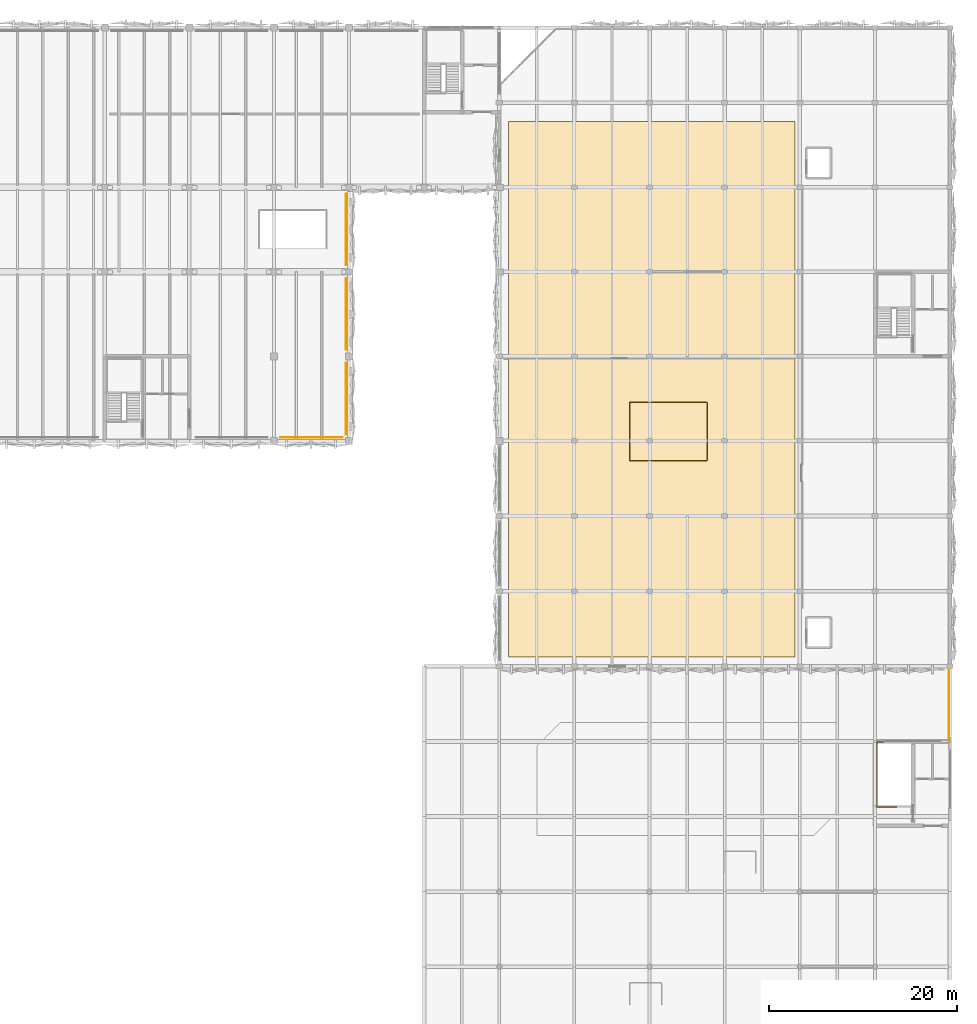
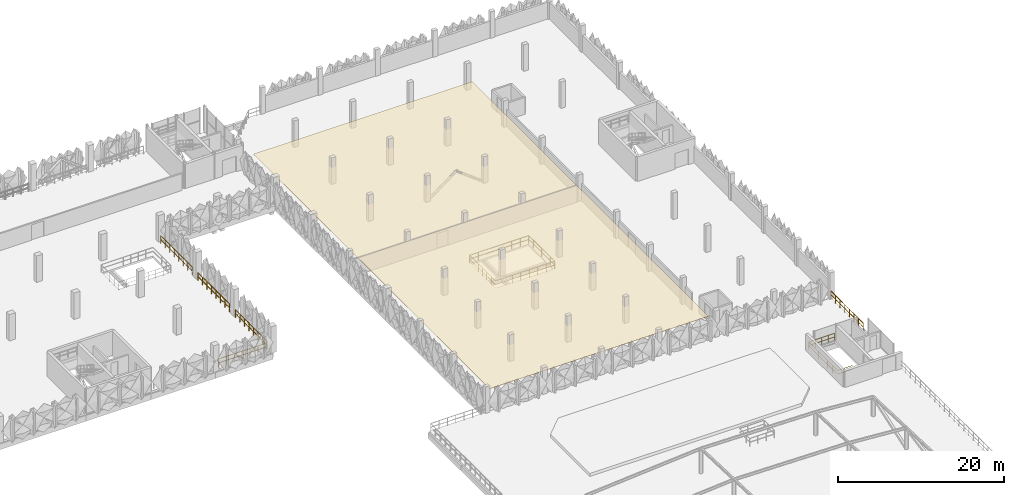
# One storey, part 73 of 76: 7 railings, 1 covering.
"""IFC4 building model written with IfcOpenShell, lengths in metres."""

from ifc_helpers import new_model, si_unit, derived_unit, direction, frame, origin, origin_2d, place, context, subcontext, project, spatial, polyline, circle, outline, extrude, material, layer, layer_set, type_object, element, save


model = new_model("IFC4")

# Units and contexts
model_context = context("Model", 3, precision=1e-05, world=origin(), true_north=direction((0.0, 1.0)))
body_context = subcontext(model_context, "Body", "Model", "MODEL_VIEW")
ifc_project = project(units=[si_unit("LENGTHUNIT", "METRE"), si_unit("AREAUNIT", "SQUARE_METRE"), si_unit("VOLUMEUNIT", "CUBIC_METRE"), si_unit("PLANEANGLEUNIT", "RADIAN"), si_unit("MASSUNIT", "GRAM", prefix="KILO"), si_unit("THERMODYNAMICTEMPERATUREUNIT", "KELVIN"), derived_unit("THERMALTRANSMITTANCEUNIT", [(si_unit("POWERUNIT", "WATT"), 1), (si_unit("AREAUNIT", "SQUARE_METRE"), -1), (si_unit("THERMODYNAMICTEMPERATUREUNIT", "KELVIN"), -1)])], contexts=[model_context])

# Site, building, storey
site_placement = place(None, origin())
site = spatial("IfcSite", under=ifc_project, at=site_placement, CompositionType="ELEMENT")
building_placement = place(site_placement, origin())
building = spatial("IfcBuilding", under=site, at=building_placement, Name="Haiyu Intermodal Mobility Hub", CompositionType="ELEMENT")
storey_placement = place(building_placement, frame((0.0, 0.0, 17.300048828125)))
storey = spatial("IfcBuildingStorey", under=building, at=storey_placement, Name="L04", CompositionType="ELEMENT", Elevation=17.300048828125)

# Covering
ifc_material_1 = material(Name="Champagne perforated aluminium 6063-T6", Category="aluminium")
ifc_layer = layer(ifc_material_1, 0.139892578125)
ifc_layer_set = layer_set([ifc_layer], Name="Champagne perforated aluminium 6063-T6")
covering_type = type_object("IfcCoveringType", Name="COV-CV01", PredefinedType="CLADDING", material=ifc_layer_set)
covering_placement = place(storey_placement, frame((0.0, 0.0, 2.39990234375)))
element("IfcCovering", 1, at=covering_placement, inside=storey, type_object=covering_type, Name="COV-CEIL-006", PredefinedType="CLADDING", context=body_context, shape_type="SweptSolid", body=[
    extrude(outline(polyline([(163.0, 81.0), (193.5, 81.0), (193.5, 138.0), (163.0, 138.0), (163.0, 81.0)])), origin(), (0.0, 0.0, 1.0), 0.045166015625),
])

# Railings
ifc_material_2 = material(Name="Steel Q355C", Category="steel")
railing_type_1 = type_object("IfcRailingType", Name="RAL-GR01", PredefinedType="GUARDRAIL", material=ifc_material_2)
railing_1_placement = place(storey_placement, frame((145.659912109375, 104.699951171875, 0.0)))
element("IfcRailing", 2, at=railing_1_placement, inside=storey, type_object=railing_type_1, Name="RAL-CAR-E-0102", PredefinedType="GUARDRAIL", context=body_context, shape_type="SweptSolid", body=[
    extrude(circle(Radius=0.02392578125, at=origin_2d()), frame((0.0, 0.030029296875, 1.17578125), z_axis=(0.0, 1.0, 0.0), x_axis=(-1.0, 0.0, 0.0)), (0.0, 0.0, 1.0), 7.5400390625),
    extrude(circle(Radius=0.02392578125, at=origin_2d()), frame((0.0, 0.037353515625, 0.60009765625), z_axis=(0.0, 1.0, 0.0), x_axis=(-1.0, 0.0, 0.0)), (0.0, 0.0, 1.0), 1.01123046875),
    extrude(circle(Radius=0.02392578125, at=origin_2d()), frame((0.0, 1.123046875, 0.60009765625), z_axis=(0.0, 1.0, 0.0), x_axis=(-1.0, 0.0, 0.0)), (0.0, 0.0, 1.0), 1.01123046875),
    extrude(circle(Radius=0.02392578125, at=origin_2d()), frame((0.0, 2.208740234375, 0.60009765625), z_axis=(0.0, 1.0, 0.0), x_axis=(-1.0, 0.0, 0.0)), (0.0, 0.0, 1.0), 1.01123046875),
    extrude(circle(Radius=0.02392578125, at=origin_2d()), frame((0.0, 3.29443359375, 0.60009765625), z_axis=(0.0, 1.0, 0.0), x_axis=(-1.0, 0.0, 0.0)), (0.0, 0.0, 1.0), 1.01123046875),
    extrude(circle(Radius=0.02392578125, at=origin_2d()), frame((0.0, 4.380126953125, 0.60009765625), z_axis=(0.0, 1.0, 0.0), x_axis=(-1.0, 0.0, 0.0)), (0.0, 0.0, 1.0), 1.01123046875),
    extrude(circle(Radius=0.02392578125, at=origin_2d()), frame((0.0, 5.4658203125, 0.60009765625), z_axis=(0.0, 1.0, 0.0), x_axis=(-1.0, 0.0, 0.0)), (0.0, 0.0, 1.0), 1.01123046875),
    extrude(circle(Radius=0.02392578125, at=origin_2d()), frame((0.0, 6.5517578125, 0.60009765625), z_axis=(0.0, 1.0, 0.0), x_axis=(-1.0, 0.0, 0.0)), (0.0, 0.0, 1.0), 1.01123046875),
    extrude(circle(Radius=0.02099609375, at=origin_2d()), origin(), (0.0, 0.0, 1.0), 1.143798828125),
    extrude(circle(Radius=0.02099609375, at=origin_2d()), frame((0.0, 1.085693359375, 0.0)), (0.0, 0.0, 1.0), 1.143798828125),
    extrude(circle(Radius=0.02099609375, at=origin_2d()), frame((0.0, 2.17138671875, 0.0)), (0.0, 0.0, 1.0), 1.143798828125),
    extrude(circle(Radius=0.02099609375, at=origin_2d()), frame((0.0, 3.257080078125, 0.0)), (0.0, 0.0, 1.0), 1.143798828125),
    extrude(circle(Radius=0.02099609375, at=origin_2d()), frame((0.0, 4.343017578125, 0.0)), (0.0, 0.0, 1.0), 1.143798828125),
    extrude(circle(Radius=0.02099609375, at=origin_2d()), frame((0.0, 5.4287109375, 0.0)), (0.0, 0.0, 1.0), 1.143798828125),
    extrude(circle(Radius=0.02099609375, at=origin_2d()), frame((0.0, 6.514404296875, 0.0)), (0.0, 0.0, 1.0), 1.143798828125),
    extrude(circle(Radius=0.02099609375, at=origin_2d()), frame((0.0, 7.60009765625, 0.0)), (0.0, 0.0, 1.0), 1.143798828125),
])
railing_2_placement = place(storey_placement, frame((145.659912109375, 113.699951171875, 0.0)))
element("IfcRailing", 3, at=railing_2_placement, inside=storey, type_object=railing_type_1, Name="RAL-CAR-E-0103", PredefinedType="GUARDRAIL", context=body_context, shape_type="SweptSolid", body=[
    extrude(circle(Radius=0.02392578125, at=origin_2d()), frame((0.0, 0.030029296875, 1.17578125), z_axis=(0.0, 1.0, 0.0), x_axis=(-1.0, 0.0, 0.0)), (0.0, 0.0, 1.0), 7.5400390625),
    extrude(circle(Radius=0.02392578125, at=origin_2d()), frame((0.0, 0.037353515625, 0.60009765625), z_axis=(0.0, 1.0, 0.0), x_axis=(-1.0, 0.0, 0.0)), (0.0, 0.0, 1.0), 1.01123046875),
    extrude(circle(Radius=0.02392578125, at=origin_2d()), frame((0.0, 1.123046875, 0.60009765625), z_axis=(0.0, 1.0, 0.0), x_axis=(-1.0, 0.0, 0.0)), (0.0, 0.0, 1.0), 1.01123046875),
    extrude(circle(Radius=0.02392578125, at=origin_2d()), frame((0.0, 2.208740234375, 0.60009765625), z_axis=(0.0, 1.0, 0.0), x_axis=(-1.0, 0.0, 0.0)), (0.0, 0.0, 1.0), 1.01123046875),
    extrude(circle(Radius=0.02392578125, at=origin_2d()), frame((0.0, 3.29443359375, 0.60009765625), z_axis=(0.0, 1.0, 0.0), x_axis=(-1.0, 0.0, 0.0)), (0.0, 0.0, 1.0), 1.01123046875),
    extrude(circle(Radius=0.02392578125, at=origin_2d()), frame((0.0, 4.380126953125, 0.60009765625), z_axis=(0.0, 1.0, 0.0), x_axis=(-1.0, 0.0, 0.0)), (0.0, 0.0, 1.0), 1.01123046875),
    extrude(circle(Radius=0.02392578125, at=origin_2d()), frame((0.0, 5.4658203125, 0.60009765625), z_axis=(0.0, 1.0, 0.0), x_axis=(-1.0, 0.0, 0.0)), (0.0, 0.0, 1.0), 1.01123046875),
    extrude(circle(Radius=0.02392578125, at=origin_2d()), frame((0.0, 6.5517578125, 0.60009765625), z_axis=(0.0, 1.0, 0.0), x_axis=(-1.0, 0.0, 0.0)), (0.0, 0.0, 1.0), 1.01123046875),
    extrude(circle(Radius=0.02099609375, at=origin_2d()), origin(), (0.0, 0.0, 1.0), 1.143798828125),
    extrude(circle(Radius=0.02099609375, at=origin_2d()), frame((0.0, 1.085693359375, 0.0)), (0.0, 0.0, 1.0), 1.143798828125),
    extrude(circle(Radius=0.02099609375, at=origin_2d()), frame((0.0, 2.17138671875, 0.0)), (0.0, 0.0, 1.0), 1.143798828125),
    extrude(circle(Radius=0.02099609375, at=origin_2d()), frame((0.0, 3.257080078125, 0.0)), (0.0, 0.0, 1.0), 1.143798828125),
    extrude(circle(Radius=0.02099609375, at=origin_2d()), frame((0.0, 4.343017578125, 0.0)), (0.0, 0.0, 1.0), 1.143798828125),
    extrude(circle(Radius=0.02099609375, at=origin_2d()), frame((0.0, 5.4287109375, 0.0)), (0.0, 0.0, 1.0), 1.143798828125),
    extrude(circle(Radius=0.02099609375, at=origin_2d()), frame((0.0, 6.514404296875, 0.0)), (0.0, 0.0, 1.0), 1.143798828125),
    extrude(circle(Radius=0.02099609375, at=origin_2d()), frame((0.0, 7.60009765625, 0.0)), (0.0, 0.0, 1.0), 1.143798828125),
])
railing_3_placement = place(storey_placement, frame((145.659912109375, 122.699951171875, 0.0)))
element("IfcRailing", 4, at=railing_3_placement, inside=storey, type_object=railing_type_1, Name="RAL-CAR-E-0104", PredefinedType="GUARDRAIL", context=body_context, shape_type="SweptSolid", body=[
    extrude(circle(Radius=0.02392578125, at=origin_2d()), frame((0.0, 0.030029296875, 1.17578125), z_axis=(0.0, 1.0, 0.0), x_axis=(-1.0, 0.0, 0.0)), (0.0, 0.0, 1.0), 7.5400390625),
    extrude(circle(Radius=0.02392578125, at=origin_2d()), frame((0.0, 0.037353515625, 0.60009765625), z_axis=(0.0, 1.0, 0.0), x_axis=(-1.0, 0.0, 0.0)), (0.0, 0.0, 1.0), 1.01123046875),
    extrude(circle(Radius=0.02392578125, at=origin_2d()), frame((0.0, 1.123046875, 0.60009765625), z_axis=(0.0, 1.0, 0.0), x_axis=(-1.0, 0.0, 0.0)), (0.0, 0.0, 1.0), 1.01123046875),
    extrude(circle(Radius=0.02392578125, at=origin_2d()), frame((0.0, 2.208740234375, 0.60009765625), z_axis=(0.0, 1.0, 0.0), x_axis=(-1.0, 0.0, 0.0)), (0.0, 0.0, 1.0), 1.01123046875),
    extrude(circle(Radius=0.02392578125, at=origin_2d()), frame((0.0, 3.29443359375, 0.60009765625), z_axis=(0.0, 1.0, 0.0), x_axis=(-1.0, 0.0, 0.0)), (0.0, 0.0, 1.0), 1.01123046875),
    extrude(circle(Radius=0.02392578125, at=origin_2d()), frame((0.0, 4.380126953125, 0.60009765625), z_axis=(0.0, 1.0, 0.0), x_axis=(-1.0, 0.0, 0.0)), (0.0, 0.0, 1.0), 1.01123046875),
    extrude(circle(Radius=0.02392578125, at=origin_2d()), frame((0.0, 5.4658203125, 0.60009765625), z_axis=(0.0, 1.0, 0.0), x_axis=(-1.0, 0.0, 0.0)), (0.0, 0.0, 1.0), 1.01123046875),
    extrude(circle(Radius=0.02392578125, at=origin_2d()), frame((0.0, 6.5517578125, 0.60009765625), z_axis=(0.0, 1.0, 0.0), x_axis=(-1.0, 0.0, 0.0)), (0.0, 0.0, 1.0), 1.01123046875),
    extrude(circle(Radius=0.02099609375, at=origin_2d()), origin(), (0.0, 0.0, 1.0), 1.143798828125),
    extrude(circle(Radius=0.02099609375, at=origin_2d()), frame((0.0, 1.085693359375, 0.0)), (0.0, 0.0, 1.0), 1.143798828125),
    extrude(circle(Radius=0.02099609375, at=origin_2d()), frame((0.0, 2.17138671875, 0.0)), (0.0, 0.0, 1.0), 1.143798828125),
    extrude(circle(Radius=0.02099609375, at=origin_2d()), frame((0.0, 3.257080078125, 0.0)), (0.0, 0.0, 1.0), 1.143798828125),
    extrude(circle(Radius=0.02099609375, at=origin_2d()), frame((0.0, 4.343017578125, 0.0)), (0.0, 0.0, 1.0), 1.143798828125),
    extrude(circle(Radius=0.02099609375, at=origin_2d()), frame((0.0, 5.4287109375, 0.0)), (0.0, 0.0, 1.0), 1.143798828125),
    extrude(circle(Radius=0.02099609375, at=origin_2d()), frame((0.0, 6.514404296875, 0.0)), (0.0, 0.0, 1.0), 1.143798828125),
    extrude(circle(Radius=0.02099609375, at=origin_2d()), frame((0.0, 7.60009765625, 0.0)), (0.0, 0.0, 1.0), 1.143798828125),
])
railing_4_placement = place(storey_placement, frame((138.699951171875, 104.340087890625, 0.0)))
element("IfcRailing", 5, at=railing_4_placement, inside=storey, type_object=railing_type_1, Name="RAL-CAR-S-0147", PredefinedType="GUARDRAIL", context=body_context, shape_type="SweptSolid", body=[
    extrude(circle(Radius=0.02392578125, at=origin_2d()), frame((0.030029296875, 0.0, 1.17578125), z_axis=(1.0, 0.0, 0.0), x_axis=(0.0, 1.0, 0.0)), (0.0, 0.0, 1.0), 6.5400390625),
    extrude(circle(Radius=0.02392578125, at=origin_2d()), frame((0.037353515625, 0.0, 0.60009765625), z_axis=(1.0, 0.0, 0.0), x_axis=(0.0, 1.0, 0.0)), (0.0, 0.0, 1.0), 1.025390625),
    extrude(circle(Radius=0.02392578125, at=origin_2d()), frame((1.13720703125, 0.0, 0.60009765625), z_axis=(1.0, 0.0, 0.0), x_axis=(0.0, 1.0, 0.0)), (0.0, 0.0, 1.0), 1.025390625),
    extrude(circle(Radius=0.02392578125, at=origin_2d()), frame((2.2373046875, 0.0, 0.60009765625), z_axis=(1.0, 0.0, 0.0), x_axis=(0.0, 1.0, 0.0)), (0.0, 0.0, 1.0), 1.025390625),
    extrude(circle(Radius=0.02392578125, at=origin_2d()), frame((3.33740234375, 0.0, 0.60009765625), z_axis=(1.0, 0.0, 0.0), x_axis=(0.0, 1.0, 0.0)), (0.0, 0.0, 1.0), 1.025390625),
    extrude(circle(Radius=0.02392578125, at=origin_2d()), frame((4.437255859375, 0.0, 0.60009765625), z_axis=(1.0, 0.0, 0.0), x_axis=(0.0, 1.0, 0.0)), (0.0, 0.0, 1.0), 1.025390625),
    extrude(circle(Radius=0.02392578125, at=origin_2d()), frame((5.537353515625, 0.0, 0.60009765625), z_axis=(1.0, 0.0, 0.0), x_axis=(0.0, 1.0, 0.0)), (0.0, 0.0, 1.0), 1.025390625),
    extrude(circle(Radius=0.02099609375, at=origin_2d()), origin(), (0.0, 0.0, 1.0), 1.143798828125),
    extrude(circle(Radius=0.02099609375, at=origin_2d()), frame((1.10009765625, 0.0, 0.0)), (0.0, 0.0, 1.0), 1.143798828125),
    extrude(circle(Radius=0.02099609375, at=origin_2d()), frame((2.199951171875, 0.0, 0.0)), (0.0, 0.0, 1.0), 1.143798828125),
    extrude(circle(Radius=0.02099609375, at=origin_2d()), frame((3.300048828125, 0.0, 0.0)), (0.0, 0.0, 1.0), 1.143798828125),
    extrude(circle(Radius=0.02099609375, at=origin_2d()), frame((4.400146484375, 0.0, 0.0)), (0.0, 0.0, 1.0), 1.143798828125),
    extrude(circle(Radius=0.02099609375, at=origin_2d()), frame((5.5, 0.0, 0.0)), (0.0, 0.0, 1.0), 1.143798828125),
    extrude(circle(Radius=0.02099609375, at=origin_2d()), frame((6.60009765625, 0.0, 0.0)), (0.0, 0.0, 1.0), 1.143798828125),
])
railing_5_placement = place(storey_placement, frame((175.8798828125, 101.8798828125, 0.0)))
element("IfcRailing", 6, at=railing_5_placement, inside=storey, type_object=railing_type_1, Name="RAL-V6VOID-L04", PredefinedType="GUARDRAIL", context=body_context, shape_type="SweptSolid", body=[
    extrude(circle(Radius=0.02392578125, at=origin_2d()), frame((0.030029296875, 0.0, 1.15576171875), z_axis=(1.0, 0.0, 0.0), x_axis=(0.0, 1.0, 0.0)), (0.0, 0.0, 1.0), 8.18017578125),
    extrude(circle(Radius=0.02392578125, at=origin_2d()), frame((0.037353515625, 0.0, 0.58984375), z_axis=(1.0, 0.0, 0.0), x_axis=(0.0, 1.0, 0.0)), (0.0, 0.0, 1.0), 1.1025390625),
    extrude(circle(Radius=0.02392578125, at=origin_2d()), frame((1.21435546875, 0.0, 0.58984375), z_axis=(1.0, 0.0, 0.0), x_axis=(0.0, 1.0, 0.0)), (0.0, 0.0, 1.0), 1.1025390625),
    extrude(circle(Radius=0.02392578125, at=origin_2d()), frame((2.3916015625, 0.0, 0.58984375), z_axis=(1.0, 0.0, 0.0), x_axis=(0.0, 1.0, 0.0)), (0.0, 0.0, 1.0), 1.1025390625),
    extrude(circle(Radius=0.02392578125, at=origin_2d()), frame((3.56884765625, 0.0, 0.58984375), z_axis=(1.0, 0.0, 0.0), x_axis=(0.0, 1.0, 0.0)), (0.0, 0.0, 1.0), 1.1025390625),
    extrude(circle(Radius=0.02392578125, at=origin_2d()), frame((4.74609375, 0.0, 0.58984375), z_axis=(1.0, 0.0, 0.0), x_axis=(0.0, 1.0, 0.0)), (0.0, 0.0, 1.0), 1.1025390625),
    extrude(circle(Radius=0.02392578125, at=origin_2d()), frame((5.923095703125, 0.0, 0.58984375), z_axis=(1.0, 0.0, 0.0), x_axis=(0.0, 1.0, 0.0)), (0.0, 0.0, 1.0), 1.1025390625),
    extrude(circle(Radius=0.02392578125, at=origin_2d()), frame((7.100341796875, 0.0, 0.58984375), z_axis=(1.0, 0.0, 0.0), x_axis=(0.0, 1.0, 0.0)), (0.0, 0.0, 1.0), 1.1025390625),
    extrude(circle(Radius=0.02392578125, at=origin_2d()), frame((8.240234375, 0.030029296875, 1.15576171875), z_axis=(0.0, 1.0, 0.0), x_axis=(-1.0, 0.0, 0.0)), (0.0, 0.0, 1.0), 6.18017578125),
    extrude(circle(Radius=0.02392578125, at=origin_2d()), frame((8.240234375, 0.037353515625, 0.58984375), z_axis=(0.0, 1.0, 0.0), x_axis=(-1.0, 0.0, 0.0)), (0.0, 0.0, 1.0), 0.96533203125),
    extrude(circle(Radius=0.02392578125, at=origin_2d()), frame((8.240234375, 1.077392578125, 0.58984375), z_axis=(0.0, 1.0, 0.0), x_axis=(-1.0, 0.0, 0.0)), (0.0, 0.0, 1.0), 0.96533203125),
    extrude(circle(Radius=0.02392578125, at=origin_2d()), frame((8.240234375, 2.117431640625, 0.58984375), z_axis=(0.0, 1.0, 0.0), x_axis=(-1.0, 0.0, 0.0)), (0.0, 0.0, 1.0), 0.96533203125),
    extrude(circle(Radius=0.02392578125, at=origin_2d()), frame((8.240234375, 3.157470703125, 0.58984375), z_axis=(0.0, 1.0, 0.0), x_axis=(-1.0, 0.0, 0.0)), (0.0, 0.0, 1.0), 0.96533203125),
    extrude(circle(Radius=0.02392578125, at=origin_2d()), frame((8.240234375, 4.197509765625, 0.58984375), z_axis=(0.0, 1.0, 0.0), x_axis=(-1.0, 0.0, 0.0)), (0.0, 0.0, 1.0), 0.96533203125),
    extrude(circle(Radius=0.02392578125, at=origin_2d()), frame((8.240234375, 5.237548828125, 0.58984375), z_axis=(0.0, 1.0, 0.0), x_axis=(-1.0, 0.0, 0.0)), (0.0, 0.0, 1.0), 0.96533203125),
    extrude(circle(Radius=0.02392578125, at=origin_2d()), frame((8.210205078125, 6.240234375, 1.15576171875), z_axis=(-1.0, 0.0, 0.0), x_axis=(0.0, -1.0, 0.0)), (0.0, 0.0, 1.0), 8.18017578125),
    extrude(circle(Radius=0.02392578125, at=origin_2d()), frame((8.202880859375, 6.240234375, 0.58984375), z_axis=(-1.0, 0.0, 0.0), x_axis=(0.0, -1.0, 0.0)), (0.0, 0.0, 1.0), 1.1025390625),
    extrude(circle(Radius=0.02392578125, at=origin_2d()), frame((7.02587890625, 6.240234375, 0.58984375), z_axis=(-1.0, 0.0, 0.0), x_axis=(0.0, -1.0, 0.0)), (0.0, 0.0, 1.0), 1.1025390625),
    extrude(circle(Radius=0.02392578125, at=origin_2d()), frame((5.8486328125, 6.240234375, 0.58984375), z_axis=(-1.0, 0.0, 0.0), x_axis=(0.0, -1.0, 0.0)), (0.0, 0.0, 1.0), 1.1025390625),
    extrude(circle(Radius=0.02392578125, at=origin_2d()), frame((4.67138671875, 6.240234375, 0.58984375), z_axis=(-1.0, 0.0, 0.0), x_axis=(0.0, -1.0, 0.0)), (0.0, 0.0, 1.0), 1.1025390625),
    extrude(circle(Radius=0.02392578125, at=origin_2d()), frame((3.494140625, 6.240234375, 0.58984375), z_axis=(-1.0, 0.0, 0.0), x_axis=(0.0, -1.0, 0.0)), (0.0, 0.0, 1.0), 1.1025390625),
    extrude(circle(Radius=0.02392578125, at=origin_2d()), frame((2.317138671875, 6.240234375, 0.58984375), z_axis=(-1.0, 0.0, 0.0), x_axis=(0.0, -1.0, 0.0)), (0.0, 0.0, 1.0), 1.1025390625),
    extrude(circle(Radius=0.02392578125, at=origin_2d()), frame((1.139892578125, 6.240234375, 0.58984375), z_axis=(-1.0, 0.0, 0.0), x_axis=(0.0, -1.0, 0.0)), (0.0, 0.0, 1.0), 1.1025390625),
    extrude(circle(Radius=0.02392578125, at=origin_2d()), frame((0.0, 6.210205078125, 1.15576171875), z_axis=(0.0, -1.0, 0.0), x_axis=(1.0, 0.0, 0.0)), (0.0, 0.0, 1.0), 6.18017578125),
    extrude(circle(Radius=0.02392578125, at=origin_2d()), frame((0.0, 6.202880859375, 0.58984375), z_axis=(0.0, -1.0, 0.0), x_axis=(1.0, 0.0, 0.0)), (0.0, 0.0, 1.0), 0.96533203125),
    extrude(circle(Radius=0.02392578125, at=origin_2d()), frame((0.0, 5.162841796875, 0.58984375), z_axis=(0.0, -1.0, 0.0), x_axis=(1.0, 0.0, 0.0)), (0.0, 0.0, 1.0), 0.96533203125),
    extrude(circle(Radius=0.02392578125, at=origin_2d()), frame((0.0, 4.122802734375, 0.58984375), z_axis=(0.0, -1.0, 0.0), x_axis=(1.0, 0.0, 0.0)), (0.0, 0.0, 1.0), 0.96533203125),
    extrude(circle(Radius=0.02392578125, at=origin_2d()), frame((0.0, 3.082763671875, 0.58984375), z_axis=(0.0, -1.0, 0.0), x_axis=(1.0, 0.0, 0.0)), (0.0, 0.0, 1.0), 0.96533203125),
    extrude(circle(Radius=0.02392578125, at=origin_2d()), frame((0.0, 2.042724609375, 0.58984375), z_axis=(0.0, -1.0, 0.0), x_axis=(1.0, 0.0, 0.0)), (0.0, 0.0, 1.0), 0.96533203125),
    extrude(circle(Radius=0.02392578125, at=origin_2d()), frame((0.0, 1.002685546875, 0.58984375), z_axis=(0.0, -1.0, 0.0), x_axis=(1.0, 0.0, 0.0)), (0.0, 0.0, 1.0), 0.96533203125),
    extrude(circle(Radius=0.02099609375, at=origin_2d()), origin(), (0.0, 0.0, 1.0), 1.123779296875),
    extrude(circle(Radius=0.02099609375, at=origin_2d()), frame((1.17724609375, 0.0, 0.0)), (0.0, 0.0, 1.0), 1.123779296875),
    extrude(circle(Radius=0.02099609375, at=origin_2d()), frame((2.354248046875, 0.0, 0.0)), (0.0, 0.0, 1.0), 1.123779296875),
    extrude(circle(Radius=0.02099609375, at=origin_2d()), frame((3.531494140625, 0.0, 0.0)), (0.0, 0.0, 1.0), 1.123779296875),
    extrude(circle(Radius=0.02099609375, at=origin_2d()), frame((4.708740234375, 0.0, 0.0)), (0.0, 0.0, 1.0), 1.123779296875),
    extrude(circle(Radius=0.02099609375, at=origin_2d()), frame((5.885986328125, 0.0, 0.0)), (0.0, 0.0, 1.0), 1.123779296875),
    extrude(circle(Radius=0.02099609375, at=origin_2d()), frame((7.06298828125, 0.0, 0.0)), (0.0, 0.0, 1.0), 1.123779296875),
    extrude(circle(Radius=0.02099609375, at=origin_2d()), frame((8.240234375, 0.0, 0.0)), (0.0, 0.0, 1.0), 1.123779296875),
    extrude(circle(Radius=0.02099609375, at=origin_2d()), frame((8.240234375, 1.0400390625, 0.0)), (0.0, 0.0, 1.0), 1.123779296875),
    extrude(circle(Radius=0.02099609375, at=origin_2d()), frame((8.240234375, 2.080078125, 0.0)), (0.0, 0.0, 1.0), 1.123779296875),
    extrude(circle(Radius=0.02099609375, at=origin_2d()), frame((8.240234375, 3.1201171875, 0.0)), (0.0, 0.0, 1.0), 1.123779296875),
    extrude(circle(Radius=0.02099609375, at=origin_2d()), frame((8.240234375, 4.16015625, 0.0)), (0.0, 0.0, 1.0), 1.123779296875),
    extrude(circle(Radius=0.02099609375, at=origin_2d()), frame((8.240234375, 5.2001953125, 0.0)), (0.0, 0.0, 1.0), 1.123779296875),
    extrude(circle(Radius=0.02099609375, at=origin_2d()), frame((8.240234375, 6.240234375, 0.0)), (0.0, 0.0, 1.0), 1.123779296875),
    extrude(circle(Radius=0.02099609375, at=origin_2d()), frame((7.06298828125, 6.240234375, 0.0)), (0.0, 0.0, 1.0), 1.123779296875),
    extrude(circle(Radius=0.02099609375, at=origin_2d()), frame((5.885986328125, 6.240234375, 0.0)), (0.0, 0.0, 1.0), 1.123779296875),
    extrude(circle(Radius=0.02099609375, at=origin_2d()), frame((4.708740234375, 6.240234375, 0.0)), (0.0, 0.0, 1.0), 1.123779296875),
    extrude(circle(Radius=0.02099609375, at=origin_2d()), frame((3.531494140625, 6.240234375, 0.0)), (0.0, 0.0, 1.0), 1.123779296875),
    extrude(circle(Radius=0.02099609375, at=origin_2d()), frame((2.354248046875, 6.240234375, 0.0)), (0.0, 0.0, 1.0), 1.123779296875),
    extrude(circle(Radius=0.02099609375, at=origin_2d()), frame((1.17724609375, 6.240234375, 0.0)), (0.0, 0.0, 1.0), 1.123779296875),
    extrude(circle(Radius=0.02099609375, at=origin_2d()), frame((0.0, 6.240234375, 0.0)), (0.0, 0.0, 1.0), 1.123779296875),
    extrude(circle(Radius=0.02099609375, at=origin_2d()), frame((0.0, 5.2001953125, 0.0)), (0.0, 0.0, 1.0), 1.123779296875),
    extrude(circle(Radius=0.02099609375, at=origin_2d()), frame((0.0, 4.16015625, 0.0)), (0.0, 0.0, 1.0), 1.123779296875),
    extrude(circle(Radius=0.02099609375, at=origin_2d()), frame((0.0, 3.1201171875, 0.0)), (0.0, 0.0, 1.0), 1.123779296875),
    extrude(circle(Radius=0.02099609375, at=origin_2d()), frame((0.0, 2.080078125, 0.0)), (0.0, 0.0, 1.0), 1.123779296875),
    extrude(circle(Radius=0.02099609375, at=origin_2d()), frame((0.0, 1.0400390625, 0.0)), (0.0, 0.0, 1.0), 1.123779296875),
])
railing_type_2 = type_object("IfcRailingType", Name="RAL-GR02", PredefinedType="GUARDRAIL", material=ifc_material_2)
railing_6_placement = place(storey_placement, frame((209.8798828125, 72.050048828125, 0.0)))
element("IfcRailing", 7, at=railing_6_placement, inside=storey, type_object=railing_type_2, Name="L04 Roof Garden North-East Guardrail", PredefinedType="GUARDRAIL", context=body_context, shape_type="SweptSolid", body=[
    extrude(circle(Radius=0.02392578125, at=origin_2d()), frame((0.0, 0.030029296875, 1.1259765625), z_axis=(0.0, 1.0, 0.0), x_axis=(-1.0, 0.0, 0.0)), (0.0, 0.0, 1.0), 7.75),
    extrude(circle(Radius=0.02392578125, at=origin_2d()), frame((0.0, 0.037353515625, 0.574951171875), z_axis=(0.0, 1.0, 0.0), x_axis=(-1.0, 0.0, 0.0)), (0.0, 0.0, 1.0), 1.041015625),
    extrude(circle(Radius=0.02392578125, at=origin_2d()), frame((0.0, 1.153076171875, 0.574951171875), z_axis=(0.0, 1.0, 0.0), x_axis=(-1.0, 0.0, 0.0)), (0.0, 0.0, 1.0), 1.041015625),
    extrude(circle(Radius=0.02392578125, at=origin_2d()), frame((0.0, 2.268798828125, 0.574951171875), z_axis=(0.0, 1.0, 0.0), x_axis=(-1.0, 0.0, 0.0)), (0.0, 0.0, 1.0), 1.041015625),
    extrude(circle(Radius=0.02392578125, at=origin_2d()), frame((0.0, 3.384521484375, 0.574951171875), z_axis=(0.0, 1.0, 0.0), x_axis=(-1.0, 0.0, 0.0)), (0.0, 0.0, 1.0), 1.041015625),
    extrude(circle(Radius=0.02392578125, at=origin_2d()), frame((0.0, 4.500244140625, 0.574951171875), z_axis=(0.0, 1.0, 0.0), x_axis=(-1.0, 0.0, 0.0)), (0.0, 0.0, 1.0), 1.041015625),
    extrude(circle(Radius=0.02392578125, at=origin_2d()), frame((0.0, 5.615966796875, 0.574951171875), z_axis=(0.0, 1.0, 0.0), x_axis=(-1.0, 0.0, 0.0)), (0.0, 0.0, 1.0), 1.041015625),
    extrude(circle(Radius=0.02392578125, at=origin_2d()), frame((0.0, 6.731689453125, 0.574951171875), z_axis=(0.0, 1.0, 0.0), x_axis=(-1.0, 0.0, 0.0)), (0.0, 0.0, 1.0), 1.041015625),
    extrude(circle(Radius=0.02099609375, at=origin_2d()), origin(), (0.0, 0.0, 1.0), 1.09375),
    extrude(circle(Radius=0.02099609375, at=origin_2d()), frame((0.0, 1.11572265625, 0.0)), (0.0, 0.0, 1.0), 1.09375),
    extrude(circle(Radius=0.02099609375, at=origin_2d()), frame((0.0, 2.2314453125, 0.0)), (0.0, 0.0, 1.0), 1.09375),
    extrude(circle(Radius=0.02099609375, at=origin_2d()), frame((0.0, 3.34716796875, 0.0)), (0.0, 0.0, 1.0), 1.09375),
    extrude(circle(Radius=0.02099609375, at=origin_2d()), frame((0.0, 4.462890625, 0.0)), (0.0, 0.0, 1.0), 1.09375),
    extrude(circle(Radius=0.02099609375, at=origin_2d()), frame((0.0, 5.57861328125, 0.0)), (0.0, 0.0, 1.0), 1.09375),
    extrude(circle(Radius=0.02099609375, at=origin_2d()), frame((0.0, 6.6943359375, 0.0)), (0.0, 0.0, 1.0), 1.09375),
    extrude(circle(Radius=0.02099609375, at=origin_2d()), frame((0.0, 7.81005859375, 0.0)), (0.0, 0.0, 1.0), 1.09375),
])
railing_type_3 = type_object("IfcRailingType", Name="RAL-GR03", PredefinedType="GUARDRAIL", material=ifc_material_2)
railing_7_placement = place(storey_placement, frame((204.31005859375, 65.010009765625, 0.0)))
element("IfcRailing", 8, at=railing_7_placement, inside=storey, type_object=railing_type_3, Name="Stair Shaft Floor Guard STR-C9-L03", PredefinedType="GUARDRAIL", context=body_context, shape_type="SweptSolid", body=[
    extrude(circle(Radius=0.02392578125, at=origin_2d()), frame((-0.030029296875, 0.0, 1.09619140625), z_axis=(-1.0, 0.0, 0.0), x_axis=(0.0, -1.0, 0.0)), (0.0, 0.0, 1.0), 2.030029296875),
    extrude(circle(Radius=0.02392578125, at=origin_2d()), frame((-0.037353515625, 0.0, 0.56005859375), z_axis=(-1.0, 0.0, 0.0), x_axis=(0.0, -1.0, 0.0)), (0.0, 0.0, 1.0), 0.970458984375),
    extrude(circle(Radius=0.02392578125, at=origin_2d()), frame((-1.082275390625, 0.0, 0.56005859375), z_axis=(-1.0, 0.0, 0.0), x_axis=(0.0, -1.0, 0.0)), (0.0, 0.0, 1.0), 0.970458984375),
    extrude(circle(Radius=0.02392578125, at=origin_2d()), frame((-2.090087890625, 0.030029296875, 1.09619140625), z_axis=(0.0, 1.0, 0.0), x_axis=(-1.0, 0.0, 0.0)), (0.0, 0.0, 1.0), 6.8798828125),
    extrude(circle(Radius=0.02392578125, at=origin_2d()), frame((-2.090087890625, 0.037353515625, 0.56005859375), z_axis=(0.0, 1.0, 0.0), x_axis=(-1.0, 0.0, 0.0)), (0.0, 0.0, 1.0), 1.08203125),
    extrude(circle(Radius=0.02392578125, at=origin_2d()), frame((-2.090087890625, 1.19384765625, 0.56005859375), z_axis=(0.0, 1.0, 0.0), x_axis=(-1.0, 0.0, 0.0)), (0.0, 0.0, 1.0), 1.08203125),
    extrude(circle(Radius=0.02392578125, at=origin_2d()), frame((-2.090087890625, 2.3505859375, 0.56005859375), z_axis=(0.0, 1.0, 0.0), x_axis=(-1.0, 0.0, 0.0)), (0.0, 0.0, 1.0), 1.08203125),
    extrude(circle(Radius=0.02392578125, at=origin_2d()), frame((-2.090087890625, 3.50732421875, 0.56005859375), z_axis=(0.0, 1.0, 0.0), x_axis=(-1.0, 0.0, 0.0)), (0.0, 0.0, 1.0), 1.08203125),
    extrude(circle(Radius=0.02392578125, at=origin_2d()), frame((-2.090087890625, 4.663818359375, 0.56005859375), z_axis=(0.0, 1.0, 0.0), x_axis=(-1.0, 0.0, 0.0)), (0.0, 0.0, 1.0), 1.08203125),
    extrude(circle(Radius=0.02392578125, at=origin_2d()), frame((-2.090087890625, 5.820556640625, 0.56005859375), z_axis=(0.0, 1.0, 0.0), x_axis=(-1.0, 0.0, 0.0)), (0.0, 0.0, 1.0), 1.08203125),
    extrude(circle(Radius=0.02392578125, at=origin_2d()), frame((-2.06005859375, 6.93994140625, 1.09619140625), z_axis=(1.0, 0.0, 0.0), x_axis=(0.0, 1.0, 0.0)), (0.0, 0.0, 1.0), 3.590087890625),
    extrude(circle(Radius=0.02392578125, at=origin_2d()), frame((-2.052734375, 6.93994140625, 0.56005859375), z_axis=(1.0, 0.0, 0.0), x_axis=(0.0, 1.0, 0.0)), (0.0, 0.0, 1.0), 0.837890625),
    extrude(circle(Radius=0.02392578125, at=origin_2d()), frame((-1.14013671875, 6.93994140625, 0.56005859375), z_axis=(1.0, 0.0, 0.0), x_axis=(0.0, 1.0, 0.0)), (0.0, 0.0, 1.0), 0.837890625),
    extrude(circle(Radius=0.02392578125, at=origin_2d()), frame((-0.227783203125, 6.93994140625, 0.56005859375), z_axis=(1.0, 0.0, 0.0), x_axis=(0.0, 1.0, 0.0)), (0.0, 0.0, 1.0), 0.837890625),
    extrude(circle(Radius=0.02392578125, at=origin_2d()), frame((0.684814453125, 6.93994140625, 0.56005859375), z_axis=(1.0, 0.0, 0.0), x_axis=(0.0, 1.0, 0.0)), (0.0, 0.0, 1.0), 0.837890625),
    extrude(circle(Radius=0.02099609375, at=origin_2d()), origin(), (0.0, 0.0, 1.0), 1.06396484375),
    extrude(circle(Radius=0.02099609375, at=origin_2d()), frame((-1.044921875, 0.0, 0.0)), (0.0, 0.0, 1.0), 1.06396484375),
    extrude(circle(Radius=0.02099609375, at=origin_2d()), frame((-2.090087890625, 0.0, 0.0)), (0.0, 0.0, 1.0), 1.06396484375),
    extrude(circle(Radius=0.02099609375, at=origin_2d()), frame((-2.090087890625, 1.15673828125, 0.0)), (0.0, 0.0, 1.0), 1.06396484375),
    extrude(circle(Radius=0.02099609375, at=origin_2d()), frame((-2.090087890625, 2.313232421875, 0.0)), (0.0, 0.0, 1.0), 1.06396484375),
    extrude(circle(Radius=0.02099609375, at=origin_2d()), frame((-2.090087890625, 3.469970703125, 0.0)), (0.0, 0.0, 1.0), 1.06396484375),
    extrude(circle(Radius=0.02099609375, at=origin_2d()), frame((-2.090087890625, 4.626708984375, 0.0)), (0.0, 0.0, 1.0), 1.06396484375),
    extrude(circle(Radius=0.02099609375, at=origin_2d()), frame((-2.090087890625, 5.783203125, 0.0)), (0.0, 0.0, 1.0), 1.06396484375),
    extrude(circle(Radius=0.02099609375, at=origin_2d()), frame((-2.090087890625, 6.93994140625, 0.0)), (0.0, 0.0, 1.0), 1.06396484375),
    extrude(circle(Radius=0.02099609375, at=origin_2d()), frame((-1.177490234375, 6.93994140625, 0.0)), (0.0, 0.0, 1.0), 1.06396484375),
    extrude(circle(Radius=0.02099609375, at=origin_2d()), frame((-0.26513671875, 6.93994140625, 0.0)), (0.0, 0.0, 1.0), 1.06396484375),
    extrude(circle(Radius=0.02099609375, at=origin_2d()), frame((0.6474609375, 6.93994140625, 0.0)), (0.0, 0.0, 1.0), 1.06396484375),
    extrude(circle(Radius=0.02099609375, at=origin_2d()), frame((1.56005859375, 6.93994140625, 0.0)), (0.0, 0.0, 1.0), 1.06396484375),
])

save(model, "model.ifc")
